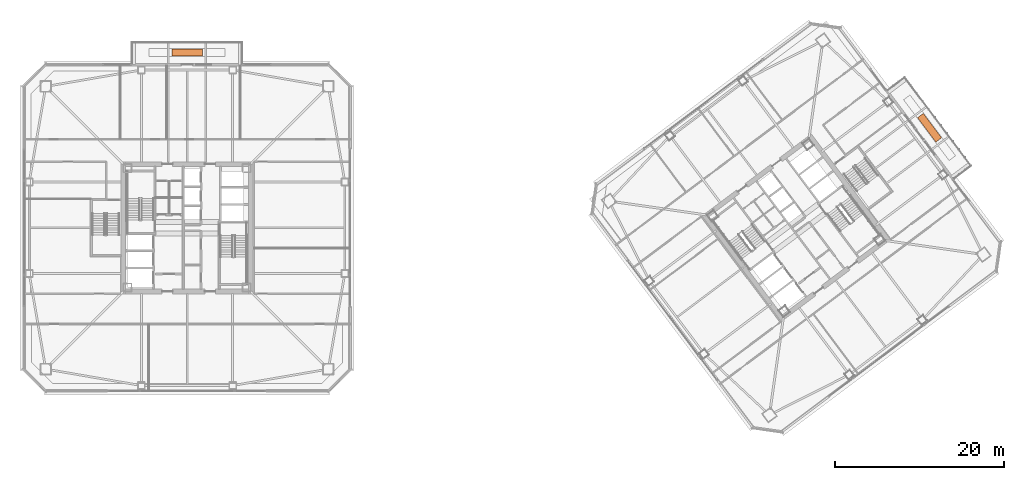
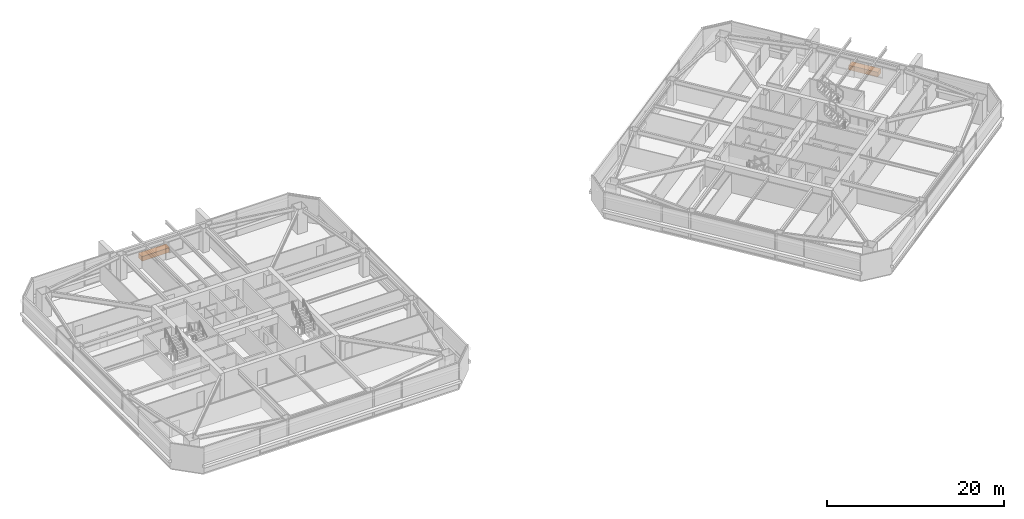
# One storey, part 41 of 41: 2 proxies.
"""IFC4 building model written with IfcOpenShell, lengths in metres."""

from ifc_helpers import new_model, si_unit, direction, frame, origin, origin_2d, place, context, subcontext, project, spatial, rectangle, extrude, material, type_object, element, save


model = new_model("IFC4")

# Units and contexts
model_context = context("Model", 3, precision=1e-05, world=origin(), true_north=direction((0.0, 1.0)))
body_context = subcontext(model_context, "Body", "Model", "MODEL_VIEW")
ifc_project = project(units=[si_unit("LENGTHUNIT", "METRE"), si_unit("AREAUNIT", "SQUARE_METRE"), si_unit("VOLUMEUNIT", "CUBIC_METRE"), si_unit("PLANEANGLEUNIT", "RADIAN"), si_unit("MASSUNIT", "GRAM", prefix="KILO")], contexts=[model_context])

# Site, building, storey
site_placement = place(None, origin())
site = spatial("IfcSite", under=ifc_project, at=site_placement, CompositionType="ELEMENT")
building_placement = place(site_placement, origin())
building = spatial("IfcBuilding", under=site, at=building_placement, Name="Tashvorn Skyway Center", CompositionType="ELEMENT")
storey_placement = place(building_placement, frame((0.0, 0.0, 146.35009765625)))
storey = spatial("IfcBuildingStorey", under=building, at=storey_placement, Name="L39", CompositionType="ELEMENT", Elevation=146.35009765625)

# Proxies
ifc_material = material(Name="Engineered Mojave xeriscape planter concrete C40/50", Category="concrete")
building_element_proxy_type = type_object("IfcBuildingElementProxyType", Name="FURN-PLANTER", PredefinedType="USERDEFINED", material=ifc_material)
for number, where, z_axis, x_axis, name in (
    (1, (42.0, 52.699951171875, 0.0), (0.0, 0.0, 1.0), (1.0, 0.0, 0.0), "Tower 1 L39 Sky Garden Xeriscape PLANTER"),
    (2, (129.760009765625, 43.820068359375, 0.0), (0.0, 0.0, 1.0), (0.600000004945, -0.799999996291, 0.0), "Tower 2 L39 Sky Garden Xeriscape PLANTER"),
):
    element("IfcBuildingElementProxy", number, at=place(storey_placement, frame(where, z_axis=z_axis, x_axis=x_axis)), inside=storey, type_object=building_element_proxy_type, Name=name, ObjectType="PLANTER", PredefinedType="USERDEFINED", context=body_context, shape_type="SweptSolid", body=[
        extrude(rectangle(XDim=3.60009765625, YDim=0.85009765625, at=origin_2d()), origin(), (0.0, 0.0, 1.0), 0.64990234375),
    ])

save(model, "model.ifc")
